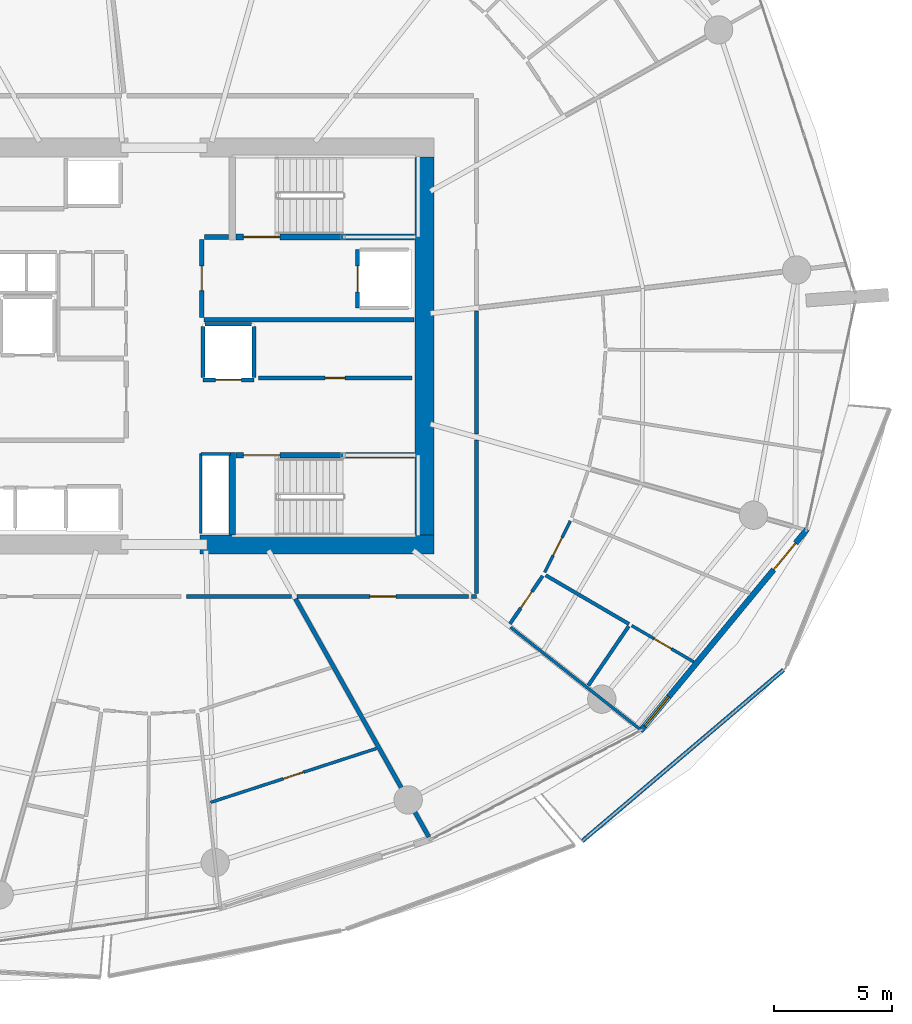
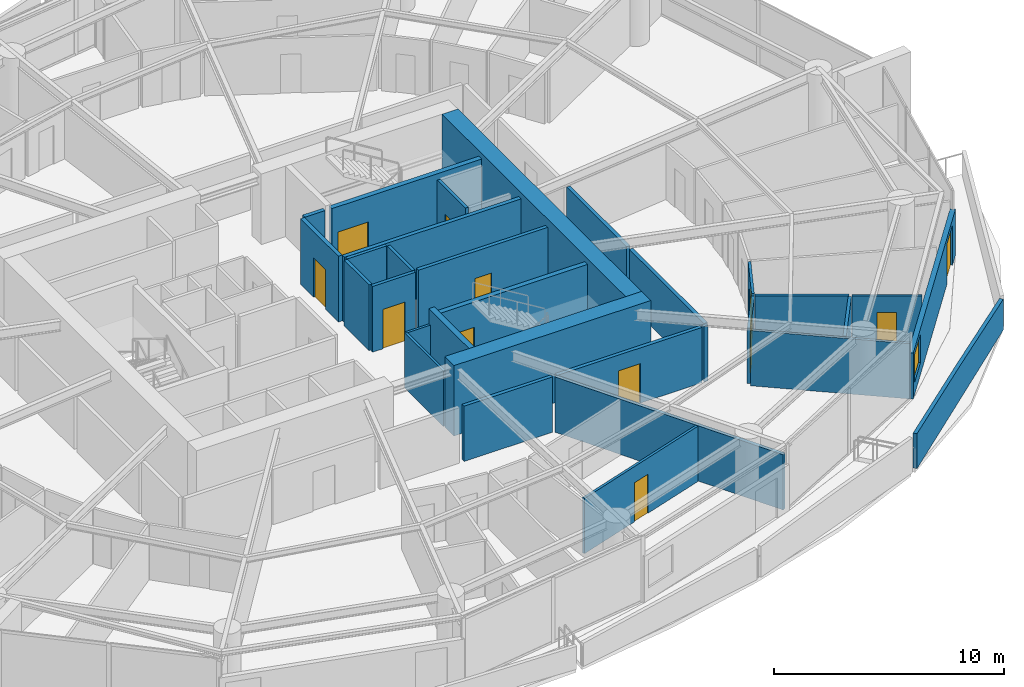
# One storey, part 13 of 23: 31 walls, 12 doors, 1 window, 13 openings.
"""IFC4 building model written with IfcOpenShell, lengths in metres."""

import ifcopenshell
import ifcopenshell.guid

model = None  # the IFC model being written
_history = None  # IfcOwnerHistory: only IFC2X3 demands one
_inside = {}  # id of a spatial element -> (the spatial element, [elements in it])
_under = {}  # id of a project, library or spatial element -> (it, [spatial elements below it])
_declared = {}  # id of a project -> (the project, [libraries it declares])
_typed = {}  # id of a type object -> (the type object, [elements of that type])
_made_of = {}  # id of a material, layer set ... -> (it, [elements and type objects made of it])


def new_model(schema):
    """Start an empty IFC model of exactly this schema.

    Asked for "IFC4X3", IfcOpenShell would pick the latest addendum, in which some entities
    have other attributes; the version numbers below select the first issue.
    IFC2X3 requires an IfcOwnerHistory on every rooted entity: one is made here for all.
    """
    global model, _history
    if schema == "IFC4X3":
        model = ifcopenshell.file(schema_version=(4, 3, 0, 0))
    else:
        model = ifcopenshell.file(schema=schema)
    _inside.clear()
    _under.clear()
    _declared.clear()
    _typed.clear()
    _made_of.clear()
    _history = None
    if model.schema == "IFC2X3":
        org = make("IfcOrganization", Name="unknown")
        user = make(
            "IfcPersonAndOrganization",
            ThePerson=make("IfcPerson", FamilyName="unknown"),
            TheOrganization=org,
        )
        app = make(
            "IfcApplication",
            ApplicationDeveloper=org,
            Version="unknown",
            ApplicationFullName="unknown",
            ApplicationIdentifier="unknown",
        )
        _history = make(
            "IfcOwnerHistory",
            OwningUser=user,
            OwningApplication=app,
            ChangeAction="ADDED",
            CreationDate=0,
        )
    return model


def make(cls, **values):
    """One entity of the class cls with the attributes given. An attribute that is None is left unset."""
    return model.create_entity(
        cls, **{name: value for name, value in values.items() if value is not None}
    )


def rooted(cls, **values):
    """An entity with a GlobalId (a new one), such as an element, a storey or a relation."""
    return make(cls, GlobalId=ifcopenshell.guid.new(), OwnerHistory=_history, **values)


def si_unit(unit_type, name, prefix=None):
    """IfcSIUnit, for example si_unit("LENGTHUNIT", "METRE", prefix="MILLI")."""
    return make("IfcSIUnit", UnitType=unit_type, Prefix=prefix, Name=name)


def assignment(units):
    """IfcUnitAssignment: the units of a project."""
    return None if units is None else make("IfcUnitAssignment", Units=units)


def point(xyz):
    """IfcCartesianPoint."""
    return None if xyz is None else make("IfcCartesianPoint", Coordinates=xyz)


def direction(xyz):
    """IfcDirection."""
    return None if xyz is None else make("IfcDirection", DirectionRatios=xyz)


def frame(location, z_axis=None, x_axis=None):
    """IfcAxis2Placement3D, a coordinate frame: its origin and axes. An axis left out is left unset."""
    return make(
        "IfcAxis2Placement3D",
        Location=point(location),
        Axis=direction(z_axis),
        RefDirection=direction(x_axis),
    )


def frame_2d(location, x_axis=None):
    """IfcAxis2Placement2D, a coordinate frame in the plane: its origin and x axis."""
    return make(
        "IfcAxis2Placement2D", Location=point(location), RefDirection=direction(x_axis)
    )


def origin():
    """The frame at (0, 0, 0) with its axes left unset."""
    return frame((0.0, 0.0, 0.0))


def place(relative_to, where):
    """IfcLocalPlacement: puts the frame where relative to a parent placement (None: the world)."""
    return make(
        "IfcLocalPlacement", PlacementRelTo=relative_to, RelativePlacement=where
    )


def context(
    kind, dimensions, precision=None, world=None, true_north=None, identifier=None
):
    """IfcGeometricRepresentationContext, for example the 3D "Model" context."""
    return make(
        "IfcGeometricRepresentationContext",
        ContextIdentifier=identifier,
        ContextType=kind,
        CoordinateSpaceDimension=dimensions,
        Precision=precision,
        WorldCoordinateSystem=world,
        TrueNorth=true_north,
    )


def subcontext(parent, identifier, kind, view, scale=None):
    """IfcGeometricRepresentationSubContext, for example "Body" below "Model"."""
    return make(
        "IfcGeometricRepresentationSubContext",
        ContextIdentifier=identifier,
        ContextType=kind,
        ParentContext=parent,
        TargetScale=scale,
        TargetView=view,
    )


def project(units=None, contexts=None):
    """IfcProject with its units and contexts."""
    return rooted(
        "IfcProject",
        Name="project",
        RepresentationContexts=contexts,
        UnitsInContext=assignment(units),
    )


def spatial(cls, under=None, at=None, **own):
    """A site, building, storey or space (cls), placed at a placement, below another one or the project."""
    s = rooted(cls, ObjectPlacement=at, **own)
    if under is not None:
        _under.setdefault(under.id(), (under, []))[1].append(s)
    return s


def polyline(points):
    """IfcPolyline through the points."""
    return make("IfcPolyline", Points=[point(p) for p in points])


def profile(cls, at=None, kind="AREA", **sizes):
    """A parametric profile (cls). Its sizes go by their IFC names, for example OverallWidth=200.0."""
    return make(cls, ProfileType=kind, Position=at, **sizes)


def rectangle(**sizes):
    """IfcRectangleProfileDef."""
    return profile("IfcRectangleProfileDef", **sizes)


def outline(outer, holes=None, kind="AREA"):
    """IfcArbitraryClosedProfileDef: a profile drawn as a closed curve; with holes, ...WithVoids."""
    if holes is None:
        return make("IfcArbitraryClosedProfileDef", ProfileType=kind, OuterCurve=outer)
    return make(
        "IfcArbitraryProfileDefWithVoids",
        ProfileType=kind,
        OuterCurve=outer,
        InnerCurves=holes,
    )


def extrude(swept, where, along, depth):
    """IfcExtrudedAreaSolid: the profile swept, set in the frame where, extruded along a direction by depth."""
    return make(
        "IfcExtrudedAreaSolid",
        SweptArea=swept,
        Position=where,
        ExtrudedDirection=direction(along),
        Depth=depth,
    )


def shape(context_of_items, identifier, shape_type, items):
    """IfcShapeRepresentation: the items that make up one representation, for example the "Body"."""
    return make(
        "IfcShapeRepresentation",
        ContextOfItems=context_of_items,
        RepresentationIdentifier=identifier,
        RepresentationType=shape_type,
        Items=items,
    )


def material(Name=None, Category=None):
    """IfcMaterial."""
    return make("IfcMaterial", Name=Name, Category=Category)


def layer(
    of_material, thickness, ventilated=None, Name=None, Category=None, Priority=None
):
    """IfcMaterialLayer: one layer of a wall or slab, of a material (None: an air gap)."""
    return make(
        "IfcMaterialLayer",
        Material=of_material,
        LayerThickness=thickness,
        IsVentilated=ventilated,
        Name=Name,
        Category=Category,
        Priority=Priority,
    )


def layer_set(layers, Name=None):
    """IfcMaterialLayerSet."""
    return make("IfcMaterialLayerSet", MaterialLayers=layers, LayerSetName=Name)


def made_of(thing, what):
    """Note that an element or type object is made of a material, layer set ...; save() writes the relation."""
    if what is not None:
        _made_of.setdefault(what.id(), (what, []))[1].append(thing)
    return thing


def type_object(cls, material=None, **own):
    """A type object (cls), such as IfcWallType, which elements share."""
    return made_of(rooted(cls, **own), material)


def element(
    cls,
    number,
    at=None,
    inside=None,
    cuts=None,
    type_object=None,
    material=None,
    context=None,
    identifier="Body",
    shape_type=None,
    held_by="IfcProductDefinitionShape",
    body=None,
    shapes=None,
    **own,
):
    """One element of the class cls, such as IfcWall. Its Tag is "e" and its number.

    at: its placement. inside: the storey or other place that contains it. cuts: it is an
    opening in that element (IfcRelVoidsElement). A single representation is given by context,
    identifier, shape_type and body (its items); several are given by shapes. held_by: the class
    of the entity that holds the representations. save() writes the other relations.
    """
    e = rooted(cls, Tag="e%d" % number, ObjectPlacement=at, **own)
    if body is not None:
        shapes = [shape(context, identifier, shape_type, body)]
    if shapes is not None:
        e.Representation = make(held_by, Representations=shapes)
    if inside is not None:
        _inside.setdefault(inside.id(), (inside, []))[1].append(e)
    if cuts is not None:
        rooted(
            "IfcRelVoidsElement", RelatingBuildingElement=cuts, RelatedOpeningElement=e
        )
    if type_object is not None:
        _typed.setdefault(type_object.id(), (type_object, []))[1].append(e)
    return made_of(e, material)


def fill(opening, filler):
    """IfcRelFillsElement: the door or window that sits in an opening."""
    return rooted(
        "IfcRelFillsElement",
        RelatingOpeningElement=opening,
        RelatedBuildingElement=filler,
    )


def aggregate(whole, parts):
    """IfcRelAggregates: a whole, such as a stair, and the parts it consists of."""
    return rooted("IfcRelAggregates", RelatingObject=whole, RelatedObjects=parts)


def save(model, path):
    """Write the relations noted so far, then the file.

    IfcRelAggregates (storeys below a building ...), IfcRelContainedInSpatialStructure (elements
    in a storey), IfcRelDefinesByType, IfcRelAssociatesMaterial and IfcRelDeclares: one each for
    every whole, place, type object, material and project.
    """
    for whole, parts in _under.values():
        aggregate(whole, parts)
    for where, things in _inside.values():
        rooted(
            "IfcRelContainedInSpatialStructure",
            RelatedElements=things,
            RelatingStructure=where,
        )
    for kind, things in _typed.values():
        rooted("IfcRelDefinesByType", RelatedObjects=things, RelatingType=kind)
    for what, things in _made_of.values():
        rooted("IfcRelAssociatesMaterial", RelatedObjects=things, RelatingMaterial=what)
    for by, libraries in _declared.values():
        rooted("IfcRelDeclares", RelatingContext=by, RelatedDefinitions=libraries)
    model.write(path)


model = new_model("IFC4")

# Units and contexts
model_context = context("Model", 3, precision=1e-05, world=origin(), true_north=direction((0.0, 1.0)))
body_context = subcontext(model_context, "Body", "Model", "MODEL_VIEW")
ifc_project = project(units=[si_unit("LENGTHUNIT", "METRE"), si_unit("AREAUNIT", "SQUARE_METRE"), si_unit("VOLUMEUNIT", "CUBIC_METRE"), si_unit("PLANEANGLEUNIT", "RADIAN"), si_unit("MASSUNIT", "GRAM", prefix="KILO")], contexts=[model_context])

# Site, building, storey
site_placement = place(None, origin())
site = spatial("IfcSite", under=ifc_project, at=site_placement, CompositionType="ELEMENT")
building_placement = place(site_placement, origin())
building = spatial("IfcBuilding", under=site, at=building_placement, Name="Kazma Halo Residences", CompositionType="ELEMENT")
storey_placement = place(building_placement, frame((0.0, 0.0, 97.64990234375)))
storey = spatial("IfcBuildingStorey", under=building, at=storey_placement, Name="L24", CompositionType="ELEMENT", Elevation=97.64990234375)

# Walls
ifc_material_1 = material(Name="White Concrete C50/60 Balustrade", Category="concrete")
ifc_layer_1 = layer(ifc_material_1, 0.179931640625)
ifc_layer_set_1 = layer_set([ifc_layer_1], Name="White Concrete C50/60 Balustrade")
wall_type_1 = type_object("IfcWallType", Name="WL-BAL-WAVE-180", PredefinedType="PARAPET", material=ifc_layer_set_1)
wall_1_placement = place(storey_placement, frame((66.125732421875, 21.0380859375, 0.0), z_axis=(0.0, 0.0, 1.0), x_axis=(0.761849488871, 0.647754086291, 0.0)))
element("IfcWall", 1, at=wall_1_placement, inside=storey, type_object=wall_type_1, Name="L24 white wave balustrade wall SE.1", PredefinedType="PARAPET", context=body_context, shape_type="SweptSolid", body=[
    extrude(outline(polyline([(0.0, 0.0), (11.19970703125, 0.0), (11.19970703125, 1.632080078125), (5.599853515625, 1.798095703125), (0.0, 1.860107421875), (0.0, 0.0)])), frame((0.0, 0.08984375, 0.0), z_axis=(0.0, -1.0, 0.0), x_axis=(1.0, 0.0, 0.0)), (0.0, 0.0, 1.0), 0.179931640625),
])
ifc_material_2 = material(Name="Concrete C80/95", Category="concrete")
ifc_layer_2 = layer(ifc_material_2, 0.800048828125)
ifc_layer_set_2 = layer_set([ifc_layer_2], Name="Concrete C80/95")
wall_type_2 = type_object("IfcWallType", Name="WL-CORE-800", PredefinedType="SHEAR", material=ifc_layer_set_2)
wall_2_placement = place(storey_placement, frame((49.949951171875, 33.60009765625, 0.0), z_axis=(0.0, 0.0, 1.0), x_axis=(1.0, 0.0, 0.0)))
element("IfcWall", 2, at=wall_2_placement, inside=storey, type_object=wall_type_2, Name="L24 central core shear wall SE", PredefinedType="SHEAR", context=body_context, shape_type="SweptSolid", body=[
    extrude(rectangle(XDim=9.900146484375, YDim=0.800048828125, at=frame_2d((4.9501953125, 0.0))), origin(), (0.0, 0.0, 1.0), 3.75),
])
wall_3_placement = place(storey_placement, frame((59.449951171875, 34.0, 0.0), z_axis=(0.0, 0.0, 1.0), x_axis=(0.0, 1.0, 0.0)))
element("IfcWall", 3, at=wall_3_placement, inside=storey, type_object=wall_type_2, Name="L24 central core shear wall E", PredefinedType="SHEAR", context=body_context, shape_type="SweptSolid", body=[
    extrude(rectangle(XDim=16.0, YDim=0.800048828125, at=frame_2d((8.0, 0.0))), origin(), (0.0, 0.0, 1.0), 3.75),
])
ifc_material_3 = material(Name="Concrete C60/75", Category="concrete")
ifc_layer_3 = layer(ifc_material_3, 0.280029296875)
ifc_layer_set_3 = layer_set([ifc_layer_3], Name="Concrete C60/75")
wall_type_3 = type_object("IfcWallType", Name="WL-CORE-ST-280", PredefinedType="SHEAR", material=ifc_layer_set_3)
wall_4_placement = place(storey_placement, frame((51.31005859375, 34.0, 0.0), z_axis=(0.0, 0.0, 1.0), x_axis=(0.0, 1.0, 0.0)))
element("IfcWall", 4, at=wall_4_placement, inside=storey, type_object=wall_type_3, Name="L24 stairwell bearing wall ST03-W", PredefinedType="SHEAR", context=body_context, shape_type="SweptSolid", body=[
    extrude(rectangle(XDim=3.5, YDim=0.280029296875, at=frame_2d((1.75, 0.0))), origin(), (0.0, 0.0, 1.0), 3.75),
])
ifc_material_4 = material(Name="Acoustic Twin-Stud Gypsum")
ifc_layer_4 = layer(ifc_material_4, 0.179931640625)
ifc_layer_set_4 = layer_set([ifc_layer_4], Name="Acoustic Twin-Stud Gypsum")
wall_type_4 = type_object("IfcWallType", Name="WL-DEM-180", PredefinedType="PARTITIONING", material=ifc_layer_set_4)
wall_5_placement = place(storey_placement, frame((53.989990234375, 31.303955078125, 0.0), z_axis=(0.0, 0.0, 1.0), x_axis=(0.488628442553, -0.872491974249, 0.0)))
element("IfcWall", 5, at=wall_5_placement, inside=storey, type_object=wall_type_4, Name="L24 apartment demising radial wall 12", PredefinedType="PARTITIONING", context=body_context, shape_type="SweptSolid", body=[
    extrude(rectangle(XDim=11.563232421875, YDim=0.179931640625, at=frame_2d((5.78173828125, 0.0))), origin(), (0.0, 0.0, 1.0), 2.940185546875),
])
wall_6_placement = place(storey_placement, frame((49.37451171875, 31.39990234375, 0.0), z_axis=(0.0, 0.0, 1.0), x_axis=(1.0, 0.0, 0.0)))
element("IfcWall", 6, at=wall_6_placement, inside=storey, type_object=wall_type_4, Name="L24 Apartment 2 inner wall 11", PredefinedType="PARTITIONING", context=body_context, shape_type="SweptSolid", body=[
    extrude(rectangle(XDim=4.44189453125, YDim=0.179931640625, at=frame_2d((2.220947265625, 0.0))), origin(), (0.0, 0.0, 1.0), 2.940185546875),
])

# Wall, opening, door
wall_7_placement = place(storey_placement, frame((54.056396484375, 31.39990234375, 0.0), z_axis=(0.0, 0.0, 1.0), x_axis=(1.0, 0.0, 0.0)))
wall_7 = element("IfcWall", 7, at=wall_7_placement, inside=storey, type_object=wall_type_4, Name="L24 Apartment 3 entrance corridor wall", PredefinedType="PARTITIONING", context=body_context, shape_type="SweptSolid", body=[
    extrude(rectangle(XDim=7.26953125, YDim=0.179931640625, at=frame_2d((3.634765625, 0.0))), origin(), (0.0, 0.0, 1.0), 2.940185546875),
])
opening_1_placement = place(wall_7_placement, frame((3.0849609375, 0.0, 0.0)))
opening_1 = element("IfcOpeningElement", 8, at=opening_1_placement, cuts=wall_7, Name="Opening DA-1100", PredefinedType="OPENING", context=body_context, shape_type="SweptSolid", body=[
    extrude(rectangle(XDim=1.10009765625, YDim=2.10009765625, at=frame_2d((0.550048828125, 1.050048828125))), frame((0.0, 0.099853515625, 0.0), z_axis=(0.0, -1.0, 0.0), x_axis=(1.0, 0.0, 0.0)), (0.0, 0.0, 1.0), 0.199951171875),
])
ifc_material_5 = material(Name="Acoustic Walnut Fire Leaf")
door_type_1 = type_object("IfcDoorType", Name="DR-FD60-1100", OperationType="NOTDEFINED", PredefinedType="DOOR", material=ifc_material_5)
door_1_placement = place(opening_1_placement, origin())
door_1 = element("IfcDoor", 9, at=door_1_placement, inside=storey, type_object=door_type_1, Name="L24 Apartment 3 entrance fire door", OperationType="SINGLE_SWING_RIGHT", OverallHeight=2.10009765625, OverallWidth=1.10009765625, PredefinedType="DOOR", context=body_context, shape_type="SweptSolid", body=[
    extrude(rectangle(XDim=1.10009765625, YDim=2.10009765625, at=frame_2d((0.550048828125, 1.050048828125))), frame((0.0, 0.02490234375, 0.0), z_axis=(0.0, -1.0, 0.0), x_axis=(1.0, 0.0, 0.0)), (0.0, 0.0, 1.0), 0.050048828125),
])
fill(opening_1, door_1)

# Walls
wall_8_placement = place(storey_placement, frame((61.446044921875, 31.39990234375, 0.0), z_axis=(0.0, 0.0, 1.0), x_axis=(1.0, 0.0, 0.0)))
element("IfcWall", 10, at=wall_8_placement, inside=storey, type_object=wall_type_4, Name="L24 Apartment 3 inner wall 13", PredefinedType="PARTITIONING", context=body_context, shape_type="SweptSolid", body=[
    extrude(rectangle(XDim=0.203857421875, YDim=0.179931640625, at=frame_2d((0.10205078125, 0.0))), origin(), (0.0, 0.0, 1.0), 2.940185546875),
])
wall_9_placement = place(storey_placement, frame((61.64990234375, 31.52001953125, 0.0), z_axis=(0.0, 0.0, 1.0), x_axis=(0.0, 1.0, 0.0)))
element("IfcWall", 11, at=wall_9_placement, inside=storey, type_object=wall_type_4, Name="L24 Apartment 3 inner wall 13", PredefinedType="PARTITIONING", context=body_context, shape_type="SweptSolid", body=[
    extrude(rectangle(XDim=6.51025390625, YDim=0.179931640625, at=frame_2d((3.255126953125, 0.0))), origin(), (0.0, 0.0, 1.0), 2.940185546875),
])
wall_10_placement = place(storey_placement, frame((61.64990234375, 38.270263671875, 0.0), z_axis=(0.0, 0.0, 1.0), x_axis=(0.0, 1.0, 0.0)))
element("IfcWall", 12, at=wall_10_placement, inside=storey, type_object=wall_type_4, Name="L24 Apartment 3 inner wall 14", PredefinedType="PARTITIONING", context=body_context, shape_type="SweptSolid", body=[
    extrude(rectangle(XDim=5.225341796875, YDim=0.179931640625, at=frame_2d((2.61279296875, 0.0))), origin(), (0.0, 0.0, 1.0), 2.940185546875),
])

# Wall, openings, door, window
ifc_material_6 = material(Name="Insulated Pale-Metal Composite Wall")
ifc_layer_5 = layer(ifc_material_6, 0.239990234375)
ifc_layer_set_5 = layer_set([ifc_layer_5], Name="Insulated Pale-Metal Composite Wall")
wall_type_5 = type_object("IfcWallType", Name="WL-EXT-HOST-240", PredefinedType="SOLIDWALL", material=ifc_layer_set_5)
wall_11_placement = place(storey_placement, frame((68.593017578125, 25.7021484375, 0.0), z_axis=(0.0, 0.0, 1.0), x_axis=(0.636704975, 0.771107498868, 0.0)))
wall_11 = element("IfcWall", 13, at=wall_11_placement, inside=storey, type_object=wall_type_5, Name="L24 exterior terrace-access wall B14", PredefinedType="SOLIDWALL", context=body_context, shape_type="SweptSolid", body=[
    extrude(rectangle(XDim=11.084228515625, YDim=0.239990234375, at=frame_2d((5.5419921875, 0.0))), origin(), (0.0, 0.0, 1.0), 2.4501953125),
])
opening_2_placement = place(wall_11_placement, frame((8.8642578125, 0.0, 0.0)))
opening_2 = element("IfcOpeningElement", 14, at=opening_2_placement, cuts=wall_11, Name="Opening DTR-1600", PredefinedType="OPENING", context=body_context, shape_type="SweptSolid", body=[
    extrude(rectangle(XDim=1.449951171875, YDim=2.14990234375, at=frame_2d((0.72509765625, 1.074951171875))), frame((0.0, 0.1298828125, 0.0), z_axis=(0.0, -1.0, 0.0), x_axis=(1.0, 0.0, 0.0)), (0.0, 0.0, 1.0), 0.260009765625),
])
opening_3_placement = place(wall_11_placement, frame((0.280029296875, 0.0, 0.64990234375)))
opening_3 = element("IfcOpeningElement", 15, at=opening_3_placement, cuts=wall_11, Name="Opening W-1800", PredefinedType="OPENING", context=body_context, shape_type="SweptSolid", body=[
    extrude(rectangle(XDim=1.60009765625, YDim=1.5, at=frame_2d((0.800048828125, 0.75))), frame((0.0, 0.1298828125, 0.0), z_axis=(0.0, -1.0, 0.0), x_axis=(1.0, 0.0, 0.0)), (0.0, 0.0, 1.0), 0.260009765625),
])
ifc_material_7 = material(Name="Aluminium AW-6063 T6 Double-Glazed Terrace Door", Category="aluminium")
door_type_2 = type_object("IfcDoorType", Name="DR-EXT-TERR-1600", OperationType="NOTDEFINED", PredefinedType="DOOR", material=ifc_material_7)
door_2_placement = place(opening_2_placement, origin())
door_2 = element("IfcDoor", 16, at=door_2_placement, inside=storey, type_object=door_type_2, Name="L24 B14 balcony terrace door", OperationType="DOUBLE_DOOR_SLIDING", OverallHeight=2.14990234375, OverallWidth=1.449951171875, PredefinedType="DOOR", context=body_context, shape_type="SweptSolid", body=[
    extrude(rectangle(XDim=1.449951171875, YDim=2.14990234375, at=frame_2d((0.72509765625, 1.074951171875))), frame((0.0, 0.02490234375, 0.0), z_axis=(0.0, -1.0, 0.0), x_axis=(1.0, 0.0, 0.0)), (0.0, 0.0, 1.0), 0.050048828125),
])
fill(opening_2, door_2)
ifc_material_8 = material(Name="Clear Triple-Silver Low-E Glass in Aluminium AW-6063 T6 Frame", Category="aluminium")
window_type = type_object("IfcWindowType", Name="WIN-RES-1800", PartitioningType="DOUBLE_PANEL_VERTICAL", PredefinedType="WINDOW", material=ifc_material_8)
window_placement = place(opening_3_placement, origin())
window = element("IfcWindow", 17, at=window_placement, inside=storey, type_object=window_type, Name="L24 B14 apartment window", OverallHeight=1.5, OverallWidth=1.60009765625, PartitioningType="SINGLE_PANEL", PredefinedType="WINDOW", context=body_context, shape_type="SweptSolid", body=[
    extrude(rectangle(XDim=1.60009765625, YDim=1.5, at=frame_2d((0.800048828125, 0.75))), frame((0.0, 0.030029296875, 0.0), z_axis=(0.0, -1.0, 0.0), x_axis=(1.0, 0.0, 0.0)), (0.0, 0.0, 1.0), 0.06005859375),
])
fill(opening_3, window)

# Wall, opening, door
ifc_material_9 = material(Name="Fire-Rated Blockwork Masonry", Category="masonry")
ifc_layer_6 = layer(ifc_material_9, 0.199951171875)
ifc_layer_set_6 = layer_set([ifc_layer_6], Name="Fire-Rated Blockwork Masonry")
wall_type_6 = type_object("IfcWallType", Name="WL-FLB-200", PredefinedType="PARTITIONING", material=ifc_layer_set_6)
wall_12_placement = place(storey_placement, frame((56.6201171875, 46.080078125, 0.0), z_axis=(0.0, 0.0, 1.0), x_axis=(0.0, -1.0, 0.0)))
wall_12 = element("IfcWall", 18, at=wall_12_placement, inside=storey, type_object=wall_type_6, Name="L24 lift shaft FL-02 front wall", PredefinedType="PARTITIONING", context=body_context, shape_type="SweptSolid", body=[
    extrude(rectangle(XDim=2.4599609375, YDim=0.159912109375, at=frame_2d((1.22998046875, 0.0))), origin(), (0.0, 0.0, 1.0), 3.5),
])
opening_4_placement = place(wall_12_placement, frame((0.679931640625, 0.0, 0.0)))
opening_4 = element("IfcOpeningElement", 19, at=opening_4_placement, cuts=wall_12, Name="Opening LD-FL-02", PredefinedType="OPENING", context=body_context, shape_type="SweptSolid", body=[
    extrude(rectangle(XDim=1.10009765625, YDim=2.10009765625, at=frame_2d((0.550048828125, 1.050048828125))), frame((0.0, 0.08984375, 0.0), z_axis=(0.0, -1.0, 0.0), x_axis=(1.0, 0.0, 0.0)), (0.0, 0.0, 1.0), 0.179931640625),
])
ifc_material_10 = material(Name="Stainless Steel Fire-Rated", Category="steel")
door_type_3 = type_object("IfcDoorType", Name="DR-LIFT-SLD-1100", OperationType="DOUBLE_DOOR_SLIDING", PredefinedType="DOOR", material=ifc_material_10)
door_3_placement = place(opening_4_placement, origin())
door_3 = element("IfcDoor", 20, at=door_3_placement, inside=storey, type_object=door_type_3, Name="L24 lift FL-02 sliding landing door", OperationType="DOUBLE_DOOR_SLIDING", OverallHeight=2.10009765625, OverallWidth=1.10009765625, PredefinedType="DOOR", context=body_context, shape_type="SweptSolid", body=[
    extrude(rectangle(XDim=1.10009765625, YDim=2.10009765625, at=frame_2d((0.550048828125, 1.050048828125))), frame((0.0, 0.02490234375, 0.0), z_axis=(0.0, -1.0, 0.0), x_axis=(1.0, 0.0, 0.0)), (0.0, 0.0, 1.0), 0.050048828125),
])
fill(opening_4, door_3)

wall_13_placement = place(storey_placement, frame((52.22998046875, 40.570068359375, 0.0), z_axis=(0.0, 0.0, 1.0), x_axis=(-1.0, 0.0, 0.0)))
wall_13 = element("IfcWall", 21, at=wall_13_placement, inside=storey, type_object=wall_type_6, Name="L24 lift shaft SV-01 front wall", PredefinedType="PARTITIONING", context=body_context, shape_type="SweptSolid", body=[
    extrude(rectangle(XDim=2.159912109375, YDim=0.159912109375, at=frame_2d((1.080078125, 0.0))), origin(), (0.0, 0.0, 1.0), 3.5),
])
opening_5_placement = place(wall_13_placement, frame((0.530029296875, 0.0, 0.0)))
opening_5 = element("IfcOpeningElement", 22, at=opening_5_placement, cuts=wall_13, Name="Opening LD-SV-01", PredefinedType="OPENING", context=body_context, shape_type="SweptSolid", body=[
    extrude(rectangle(XDim=1.10009765625, YDim=2.10009765625, at=frame_2d((0.550048828125, 1.050048828125))), frame((0.0, 0.08984375, 0.0), z_axis=(0.0, -1.0, 0.0), x_axis=(1.0, 0.0, 0.0)), (0.0, 0.0, 1.0), 0.179931640625),
])
door_4_placement = place(opening_5_placement, origin())
door_4 = element("IfcDoor", 23, at=door_4_placement, inside=storey, type_object=door_type_3, Name="L24 lift SV-01 sliding landing door", OperationType="DOUBLE_DOOR_SLIDING", OverallHeight=2.10009765625, OverallWidth=1.10009765625, PredefinedType="DOOR", context=body_context, shape_type="SweptSolid", body=[
    extrude(rectangle(XDim=1.10009765625, YDim=2.10009765625, at=frame_2d((0.550048828125, 1.050048828125))), frame((0.0, 0.02490234375, 0.0), z_axis=(0.0, -1.0, 0.0), x_axis=(1.0, 0.0, 0.0)), (0.0, 0.0, 1.0), 0.050048828125),
])
fill(opening_5, door_4)

# Walls
for number, where, z_axis, x_axis, name in (
    (24, (52.22998046875, 40.669921875, 0.0), (0.0, 0.0, 1.0), (0.0, 1.0, 0.0), "L24 lift shaft SV-01 side wall E"),
    (25, (50.070068359375, 40.669921875, 0.0), (0.0, 0.0, 1.0), (0.0, 1.0, 0.0), "L24 lift shaft SV-01 side wall W"),
):
    element("IfcWall", number, at=place(storey_placement, frame(where, z_axis=z_axis, x_axis=x_axis)), inside=storey, type_object=wall_type_6, Name=name, PredefinedType="PARTITIONING", context=body_context, shape_type="SweptSolid", body=[
        extrude(rectangle(XDim=2.16015625, YDim=0.159912109375, at=frame_2d((1.080078125, 0.0))), origin(), (0.0, 0.0, 1.0), 3.5),
    ])
wall_14_placement = place(storey_placement, frame((50.169921875, 42.929931640625, 0.0), z_axis=(0.0, 0.0, 1.0), x_axis=(1.0, 0.0, 0.0)))
element("IfcWall", 26, at=wall_14_placement, inside=storey, type_object=wall_type_6, Name="L24 lift shaft SV-01 side wall N", PredefinedType="PARTITIONING", context=body_context, shape_type="SweptSolid", body=[
    extrude(rectangle(XDim=1.9599609375, YDim=0.159912109375, at=frame_2d((0.97998046875, 0.0))), origin(), (0.0, 0.0, 1.0), 3.5),
])

# Wall, opening, door
wall_15_placement = place(storey_placement, frame((52.419921875, 40.64990234375, 0.0), z_axis=(0.0, 0.0, 1.0), x_axis=(1.0, 0.0, 0.0)))
wall_15 = element("IfcWall", 27, at=wall_15_placement, inside=storey, type_object=wall_type_6, Name="L24 core east reserve wall", PredefinedType="PARTITIONING", context=body_context, shape_type="SweptSolid", body=[
    extrude(rectangle(XDim=6.5, YDim=0.179931640625, at=frame_2d((3.25, 0.0))), origin(), (0.0, 0.0, 1.0), 3.5),
])
opening_6_placement = place(wall_15_placement, frame((2.824951171875, 0.0, 0.0)))
opening_6 = element("IfcOpeningElement", 28, at=opening_6_placement, cuts=wall_15, Name="Opening DS-850", PredefinedType="OPENING", context=body_context, shape_type="SweptSolid", body=[
    extrude(rectangle(XDim=0.85009765625, YDim=2.06005859375, at=frame_2d((0.425048828125, 1.030029296875))), frame((0.0, 0.099853515625, 0.0), z_axis=(0.0, -1.0, 0.0), x_axis=(1.0, 0.0, 0.0)), (0.0, 0.0, 1.0), 0.199951171875),
])
ifc_material_11 = material(Name="Painted Steel Access Leaf", Category="steel")
door_type_4 = type_object("IfcDoorType", Name="DR-SVC-850", OperationType="NOTDEFINED", PredefinedType="DOOR", material=ifc_material_11)
door_5_placement = place(opening_6_placement, origin())
door_5 = element("IfcDoor", 29, at=door_5_placement, inside=storey, type_object=door_type_4, Name="L24 core east reserve door", OperationType="SINGLE_SWING_LEFT", OverallHeight=2.06005859375, OverallWidth=0.85009765625, PredefinedType="DOOR", context=body_context, shape_type="SweptSolid", body=[
    extrude(rectangle(XDim=0.85009765625, YDim=2.06005859375, at=frame_2d((0.425048828125, 1.030029296875))), frame((0.0, 0.02490234375, 0.0), z_axis=(0.0, -1.0, 0.0), x_axis=(1.0, 0.0, 0.0)), (0.0, 0.0, 1.0), 0.050048828125),
])
fill(opening_6, door_5)

# Walls
wall_16_placement = place(storey_placement, frame((50.1201171875, 43.1201171875, 0.0), z_axis=(0.0, 0.0, 1.0), x_axis=(1.0, 0.0, 0.0)))
element("IfcWall", 30, at=wall_16_placement, inside=storey, type_object=wall_type_6, Name="L24 east firefighting lobby south smoke wall", PredefinedType="PARTITIONING", context=body_context, shape_type="SweptSolid", body=[
    extrude(rectangle(XDim=8.8798828125, YDim=0.199951171875, at=frame_2d((4.43994140625, 0.0))), origin(), (0.0, 0.0, 1.0), 3.5),
])
wall_17_placement = place(storey_placement, frame((50.139892578125, 46.6201171875, 0.0), z_axis=(0.0, 0.0, 1.0), x_axis=(1.0, 0.0, 0.0)))
element("IfcWall", 31, at=wall_17_placement, inside=storey, type_object=wall_type_6, Name="L24 east firefighting lobby north closure wall", PredefinedType="PARTITIONING", context=body_context, shape_type="SweptSolid", body=[
    extrude(rectangle(XDim=1.02001953125, YDim=0.199951171875, at=frame_2d((0.510009765625, 0.0))), origin(), (0.0, 0.0, 1.0), 3.5),
])

# Wall, opening, door
wall_18_placement = place(storey_placement, frame((50.02001953125, 43.219970703125, 0.0), z_axis=(0.0, 0.0, 1.0), x_axis=(0.0, 1.0, 0.0)))
wall_18 = element("IfcWall", 32, at=wall_18_placement, inside=storey, type_object=wall_type_6, Name="L24 east firefighting lobby smoke wall", PredefinedType="PARTITIONING", context=body_context, shape_type="SweptSolid", body=[
    extrude(rectangle(XDim=3.300048828125, YDim=0.199951171875, at=frame_2d((1.64990234375, 0.0))), origin(), (0.0, 0.0, 1.0), 3.5),
])
opening_7_placement = place(wall_18_placement, frame((1.125, 0.0, 0.0)))
opening_7 = element("IfcOpeningElement", 33, at=opening_7_placement, cuts=wall_18, Name="Opening D-FLE", PredefinedType="OPENING", context=body_context, shape_type="SweptSolid", body=[
    extrude(rectangle(XDim=1.050048828125, YDim=2.10009765625, at=frame_2d((0.52490234375, 1.050048828125))), frame((0.0, 0.10986328125, 0.0), z_axis=(0.0, -1.0, 0.0), x_axis=(1.0, 0.0, 0.0)), (0.0, 0.0, 1.0), 0.219970703125),
])
ifc_material_12 = material(Name="Fire-Rated Steel Leaf", Category="steel")
door_type_5 = type_object("IfcDoorType", Name="DR-FD90-1050", OperationType="NOTDEFINED", PredefinedType="DOOR", material=ifc_material_12)
door_6_placement = place(opening_7_placement, origin())
door_6 = element("IfcDoor", 34, at=door_6_placement, inside=storey, type_object=door_type_5, Name="L24 east firefighting lobby smoke door", OperationType="SINGLE_SWING_RIGHT", OverallHeight=2.10009765625, OverallWidth=1.050048828125, PredefinedType="DOOR", context=body_context, shape_type="SweptSolid", body=[
    extrude(rectangle(XDim=1.050048828125, YDim=2.10009765625, at=frame_2d((0.52490234375, 1.050048828125))), frame((0.0, 0.02490234375, 0.0), z_axis=(0.0, -1.0, 0.0), x_axis=(1.0, 0.0, 0.0)), (0.0, 0.0, 1.0), 0.050048828125),
])
fill(opening_7, door_6)

# Walls
ifc_material_13 = material(Name="Gypsum Plasterboard Partition")
ifc_layer_7 = layer(ifc_material_13, 0.125)
ifc_layer_set_7 = layer_set([ifc_layer_7], Name="Gypsum Plasterboard Partition")
wall_type_7 = type_object("IfcWallType", Name="WL-PART-125", PredefinedType="PARTITIONING", material=ifc_layer_set_7)
wall_19_placement = place(storey_placement, frame((49.97998046875, 34.06005859375, 0.0), z_axis=(0.0, 0.0, 1.0), x_axis=(0.0, 1.0, 0.0)))
element("IfcWall", 35, at=wall_19_placement, inside=storey, type_object=wall_type_7, Name="L24 standpipe riser wall", PredefinedType="PARTITIONING", context=body_context, shape_type="SweptSolid", body=[
    extrude(rectangle(XDim=3.39990234375, YDim=0.125, at=frame_2d((1.699951171875, 0.0))), origin(), (0.0, 0.0, 1.0), 2.940185546875),
])
wall_20_placement = place(storey_placement, frame((49.97998046875, 37.43994140625, 0.0), z_axis=(0.0, 0.0, 1.0), x_axis=(1.0, 0.0, 0.0)))
element("IfcWall", 36, at=wall_20_placement, inside=storey, type_object=wall_type_7, Name="L24 standpipe riser north wall", PredefinedType="PARTITIONING", context=body_context, shape_type="SweptSolid", body=[
    extrude(rectangle(XDim=1.260009765625, YDim=0.125, at=frame_2d((0.6298828125, 0.0))), origin(), (0.0, 0.0, 1.0), 2.940185546875),
])

# Wall, opening, door
wall_21_placement = place(storey_placement, frame((50.39501953125, 22.68212890625, 0.0), z_axis=(0.0, 0.0, 1.0), x_axis=(0.951062980527, 0.308997098808, 0.0)))
wall_21 = element("IfcWall", 37, at=wall_21_placement, inside=storey, type_object=wall_type_7, Name="L24 Apartment 2 Secondary Bedroom divider wall", PredefinedType="PARTITIONING", context=body_context, shape_type="SweptSolid", body=[
    extrude(rectangle(XDim=7.383544921875, YDim=0.125, at=frame_2d((3.69189453125, 0.0))), origin(), (0.0, 0.0, 1.0), 2.940185546875),
])
opening_8_placement = place(wall_21_placement, frame((3.24169921875, 0.0, 0.0)))
opening_8 = element("IfcOpeningElement", 38, at=opening_8_placement, cuts=wall_21, Name="Opening DI-950", PredefinedType="OPENING", context=body_context, shape_type="SweptSolid", body=[
    extrude(rectangle(XDim=0.89990234375, YDim=2.080078125, at=frame_2d((0.449951171875, 1.0400390625))), frame((0.0, 0.072509765625, 0.0), z_axis=(0.0, -1.0, 0.0), x_axis=(1.0, 0.0, 0.0)), (0.0, 0.0, 1.0), 0.14501953125),
])
ifc_material_14 = material(Name="Timber Veneer Flush Leaf", Category="wood")
door_type_6 = type_object("IfcDoorType", Name="DR-INT-950", OperationType="NOTDEFINED", PredefinedType="DOOR", material=ifc_material_14)
door_7_placement = place(opening_8_placement, origin())
door_7 = element("IfcDoor", 39, at=door_7_placement, inside=storey, type_object=door_type_6, Name="L24 Apartment 2 Secondary Bedroom door", OperationType="SINGLE_SWING_LEFT", OverallHeight=2.080078125, OverallWidth=0.89990234375, PredefinedType="DOOR", context=body_context, shape_type="SweptSolid", body=[
    extrude(rectangle(XDim=0.89990234375, YDim=2.080078125, at=frame_2d((0.449951171875, 1.0400390625))), frame((0.0, 0.02490234375, 0.0), z_axis=(0.0, -1.0, 0.0), x_axis=(1.0, 0.0, 0.0)), (0.0, 0.0, 1.0), 0.050048828125),
])
fill(opening_8, door_7)

# Wall
wall_22_placement = place(storey_placement, frame((63.09521484375, 30.099853515625, 0.0), z_axis=(0.0, 0.0, 1.0), x_axis=(0.78530300145, -0.6191116183, 0.0)))
element("IfcWall", 40, at=wall_22_placement, inside=storey, type_object=wall_type_7, Name="L24 Apartment 3 radial partition 13", PredefinedType="PARTITIONING", context=body_context, shape_type="SweptSolid", body=[
    extrude(rectangle(XDim=7.01611328125, YDim=0.125, at=frame_2d((3.508056640625, 0.0))), origin(), (0.0, 0.0, 1.0), 2.940185546875),
])

# Wall, opening, door
wall_23_placement = place(storey_placement, frame((68.224853515625, 30.16748046875, 0.0), z_axis=(0.0, 0.0, 1.0), x_axis=(0.863132180625, -0.504978057711, 0.0)))
wall_23 = element("IfcWall", 41, at=wall_23_placement, inside=storey, type_object=wall_type_7, Name="L24 Apartment 3 Household Store Room partition wall", PredefinedType="PARTITIONING", context=body_context, shape_type="SweptSolid", body=[
    extrude(rectangle(XDim=3.04296875, YDim=0.125, at=frame_2d((1.521484375, 0.0))), origin(), (0.0, 0.0, 1.0), 2.940185546875),
])
opening_9_placement = place(wall_23_placement, frame((1.096435546875, 0.0, 0.0)))
opening_9 = element("IfcOpeningElement", 42, at=opening_9_placement, cuts=wall_23, Name="Opening DB-900", PredefinedType="OPENING", context=body_context, shape_type="SweptSolid", body=[
    extrude(rectangle(XDim=0.85009765625, YDim=2.06005859375, at=frame_2d((0.425048828125, 1.030029296875))), frame((0.0, 0.072509765625, 0.0), z_axis=(0.0, -1.0, 0.0), x_axis=(1.0, 0.0, 0.0)), (0.0, 0.0, 1.0), 0.14501953125),
])
ifc_material_15 = material(Name="Moisture-Sealed Timber Leaf", Category="wood")
door_type_7 = type_object("IfcDoorType", Name="DR-BTH-900", OperationType="NOTDEFINED", PredefinedType="DOOR", material=ifc_material_15)
door_8_placement = place(opening_9_placement, origin())
door_8 = element("IfcDoor", 43, at=door_8_placement, inside=storey, type_object=door_type_7, Name="L24 Apartment 3 Household Store Room door", OperationType="SINGLE_SWING_LEFT", OverallHeight=2.06005859375, OverallWidth=0.85009765625, PredefinedType="DOOR", context=body_context, shape_type="SweptSolid", body=[
    extrude(rectangle(XDim=0.85009765625, YDim=2.06005859375, at=frame_2d((0.425048828125, 1.030029296875))), frame((0.0, 0.02490234375, 0.0), z_axis=(0.0, -1.0, 0.0), x_axis=(1.0, 0.0, 0.0)), (0.0, 0.0, 1.0), 0.050048828125),
])
fill(opening_9, door_8)

wall_24_placement = place(storey_placement, frame((64.544921875, 32.42431640625, 0.0), z_axis=(0.0, 0.0, 1.0), x_axis=(0.445043296976, 0.895509052895, 0.0)))
wall_24 = element("IfcWall", 44, at=wall_24_placement, inside=storey, type_object=wall_type_7, Name="L24 Apartment 3 Gourmet Kitchen hall wall", PredefinedType="PARTITIONING", context=body_context, shape_type="SweptSolid", body=[
    extrude(rectangle(XDim=2.431396484375, YDim=0.125, at=frame_2d((1.2158203125, 0.0))), origin(), (0.0, 0.0, 1.0), 2.940185546875),
])
opening_10_placement = place(wall_24_placement, frame((0.79052734375, 0.0, 0.0)))
opening_10 = element("IfcOpeningElement", 45, at=opening_10_placement, cuts=wall_24, Name="Opening DB-900", PredefinedType="OPENING", context=body_context, shape_type="SweptSolid", body=[
    extrude(rectangle(XDim=0.85009765625, YDim=2.06005859375, at=frame_2d((0.425048828125, 1.030029296875))), frame((0.0, 0.072509765625, 0.0), z_axis=(0.0, -1.0, 0.0), x_axis=(1.0, 0.0, 0.0)), (0.0, 0.0, 1.0), 0.14501953125),
])
door_9_placement = place(opening_10_placement, origin())
door_9 = element("IfcDoor", 46, at=door_9_placement, inside=storey, type_object=door_type_7, Name="L24 Apartment 3 Gourmet Kitchen door", OperationType="SINGLE_SWING_RIGHT", OverallHeight=2.06005859375, OverallWidth=0.85009765625, PredefinedType="DOOR", context=body_context, shape_type="SweptSolid", body=[
    extrude(rectangle(XDim=0.85009765625, YDim=2.06005859375, at=frame_2d((0.425048828125, 1.030029296875))), frame((0.0, 0.02490234375, 0.0), z_axis=(0.0, -1.0, 0.0), x_axis=(1.0, 0.0, 0.0)), (0.0, 0.0, 1.0), 0.050048828125),
])
fill(opening_10, door_9)

ifc_material_16 = material(Name="Concrete C50/60", Category="concrete")
ifc_layer_8 = layer(ifc_material_16, 0.25)
ifc_layer_set_8 = layer_set([ifc_layer_8], Name="Concrete C50/60")
wall_type_8 = type_object("IfcWallType", Name="WL-SHF-250", PredefinedType="SOLIDWALL", material=ifc_layer_set_8)
wall_25_placement = place(storey_placement, frame((51.47998046875, 46.6201171875, 0.0), z_axis=(0.0, 0.0, 1.0), x_axis=(1.0, 0.0, 0.0)))
wall_25 = element("IfcWall", 47, at=wall_25_placement, inside=storey, type_object=wall_type_8, Name="L24 exit stair ST-02 enclosure wall", PredefinedType="SOLIDWALL", context=body_context, shape_type="SweptSolid", body=[
    extrude(rectangle(XDim=7.5400390625, YDim=0.25, at=frame_2d((3.77001953125, 0.0))), origin(), (0.0, 0.0, 1.0), 3.5),
])
opening_11_placement = place(wall_25_placement, frame((0.300048828125, 0.0, 0.0)))
opening_11 = element("IfcOpeningElement", 48, at=opening_11_placement, cuts=wall_25, Name="Opening D-ST2", PredefinedType="OPENING", context=body_context, shape_type="SweptSolid", body=[
    extrude(rectangle(XDim=1.550048828125, YDim=2.14990234375, at=frame_2d((0.77490234375, 1.074951171875))), frame((0.0, 0.135009765625, 0.0), z_axis=(0.0, -1.0, 0.0), x_axis=(1.0, 0.0, 0.0)), (0.0, 0.0, 1.0), 0.27001953125),
])
ifc_material_17 = material(Name="Fire-Rated Double Steel Leaf", Category="steel")
door_type_8 = type_object("IfcDoorType", Name="DR-FD90-1550", OperationType="NOTDEFINED", PredefinedType="DOOR", material=ifc_material_17)
door_10_placement = place(opening_11_placement, origin())
door_10 = element("IfcDoor", 49, at=door_10_placement, inside=storey, type_object=door_type_8, Name="L24 exit stair ST-02 fire door", OperationType="DOUBLE_DOOR_SINGLE_SWING", OverallHeight=2.14990234375, OverallWidth=1.550048828125, PredefinedType="DOOR", context=body_context, shape_type="SweptSolid", body=[
    extrude(rectangle(XDim=1.550048828125, YDim=2.14990234375, at=frame_2d((0.77490234375, 1.074951171875))), frame((0.0, 0.02490234375, 0.0), z_axis=(0.0, -1.0, 0.0), x_axis=(1.0, 0.0, 0.0)), (0.0, 0.0, 1.0), 0.050048828125),
])
fill(opening_11, door_10)

wall_26_placement = place(storey_placement, frame((51.47998046875, 37.3798828125, 0.0), z_axis=(0.0, 0.0, 1.0), x_axis=(1.0, 0.0, 0.0)))
wall_26 = element("IfcWall", 50, at=wall_26_placement, inside=storey, type_object=wall_type_8, Name="L24 exit stair ST-03 enclosure wall", PredefinedType="SOLIDWALL", context=body_context, shape_type="SweptSolid", body=[
    extrude(rectangle(XDim=7.5400390625, YDim=0.25, at=frame_2d((3.77001953125, 0.0))), origin(), (0.0, 0.0, 1.0), 3.5),
])
opening_12_placement = place(wall_26_placement, frame((0.300048828125, 0.0, 0.0)))
opening_12 = element("IfcOpeningElement", 51, at=opening_12_placement, cuts=wall_26, Name="Opening D-ST3", PredefinedType="OPENING", context=body_context, shape_type="SweptSolid", body=[
    extrude(rectangle(XDim=1.550048828125, YDim=2.14990234375, at=frame_2d((0.77490234375, 1.074951171875))), frame((0.0, 0.135009765625, 0.0), z_axis=(0.0, -1.0, 0.0), x_axis=(1.0, 0.0, 0.0)), (0.0, 0.0, 1.0), 0.27001953125),
])
door_11_placement = place(opening_12_placement, origin())
door_11 = element("IfcDoor", 52, at=door_11_placement, inside=storey, type_object=door_type_8, Name="L24 exit stair ST-03 fire door", OperationType="DOUBLE_DOOR_SINGLE_SWING", OverallHeight=2.14990234375, OverallWidth=1.550048828125, PredefinedType="DOOR", context=body_context, shape_type="SweptSolid", body=[
    extrude(rectangle(XDim=1.550048828125, YDim=2.14990234375, at=frame_2d((0.77490234375, 1.074951171875))), frame((0.0, 0.02490234375, 0.0), z_axis=(0.0, -1.0, 0.0), x_axis=(1.0, 0.0, 0.0)), (0.0, 0.0, 1.0), 0.050048828125),
])
fill(opening_12, door_11)

ifc_material_18 = material(Name="Moisture-Resistant Gypsum")
ifc_layer_9 = layer(ifc_material_18, 0.14990234375)
ifc_layer_set_9 = layer_set([ifc_layer_9], Name="Moisture-Resistant Gypsum")
wall_type_9 = type_object("IfcWallType", Name="WL-WET-150", PredefinedType="PARTITIONING", material=ifc_layer_set_9)
wall_27_placement = place(storey_placement, frame((63.072998046875, 30.244384765625, 0.0), z_axis=(0.0, 0.0, 1.0), x_axis=(0.563472809808, 0.826134609254, 0.0)))
wall_27 = element("IfcWall", 53, at=wall_27_placement, inside=storey, type_object=wall_type_9, Name="L24 Apartment 3 Guest Bathroom hall wall", PredefinedType="PARTITIONING", context=body_context, shape_type="SweptSolid", body=[
    extrude(rectangle(XDim=2.451171875, YDim=0.14990234375, at=frame_2d((1.2255859375, 0.0))), origin(), (0.0, 0.0, 1.0), 2.940185546875),
])
opening_13_placement = place(wall_27_placement, frame((0.800537109375, 0.0, 0.0)))
opening_13 = element("IfcOpeningElement", 54, at=opening_13_placement, cuts=wall_27, Name="Opening DB-900", PredefinedType="OPENING", context=body_context, shape_type="SweptSolid", body=[
    extrude(rectangle(XDim=0.85009765625, YDim=2.06005859375, at=frame_2d((0.425048828125, 1.030029296875))), frame((0.0, 0.0849609375, 0.0), z_axis=(0.0, -1.0, 0.0), x_axis=(1.0, 0.0, 0.0)), (0.0, 0.0, 1.0), 0.169921875),
])
door_12_placement = place(opening_13_placement, origin())
door_12 = element("IfcDoor", 55, at=door_12_placement, inside=storey, type_object=door_type_7, Name="L24 Apartment 3 Guest Bathroom door", OperationType="SINGLE_SWING_RIGHT", OverallHeight=2.06005859375, OverallWidth=0.85009765625, PredefinedType="DOOR", context=body_context, shape_type="SweptSolid", body=[
    extrude(rectangle(XDim=0.85009765625, YDim=2.06005859375, at=frame_2d((0.425048828125, 1.030029296875))), frame((0.0, 0.02490234375, 0.0), z_axis=(0.0, -1.0, 0.0), x_axis=(1.0, 0.0, 0.0)), (0.0, 0.0, 1.0), 0.050048828125),
])
fill(opening_13, door_12)

# Walls
wall_28_placement = place(storey_placement, frame((66.38720703125, 27.631591796875, 0.0), z_axis=(0.0, 0.0, 1.0), x_axis=(0.563341818284, 0.826223938029, 0.0)))
element("IfcWall", 56, at=wall_28_placement, inside=storey, type_object=wall_type_9, Name="L24 Apartment 3 Guest Bathroom back wall", PredefinedType="PARTITIONING", context=body_context, shape_type="SweptSolid", body=[
    extrude(rectangle(XDim=3.0341796875, YDim=0.14990234375, at=frame_2d((1.51708984375, 0.0))), origin(), (0.0, 0.0, 1.0), 2.940185546875),
])
wall_29_placement = place(storey_placement, frame((64.58251953125, 32.29833984375, 0.0), z_axis=(0.0, 0.0, 1.0), x_axis=(0.863128698129, -0.504984010109, 0.0)))
element("IfcWall", 57, at=wall_29_placement, inside=storey, type_object=wall_type_9, Name="L24 Apartment 3 Guest Bathroom side wall", PredefinedType="PARTITIONING", context=body_context, shape_type="SweptSolid", body=[
    extrude(rectangle(XDim=4.090087890625, YDim=0.14990234375, at=frame_2d((2.044921875, 0.0))), origin(), (0.0, 0.0, 1.0), 2.940185546875),
])

save(model, "model.ifc")
